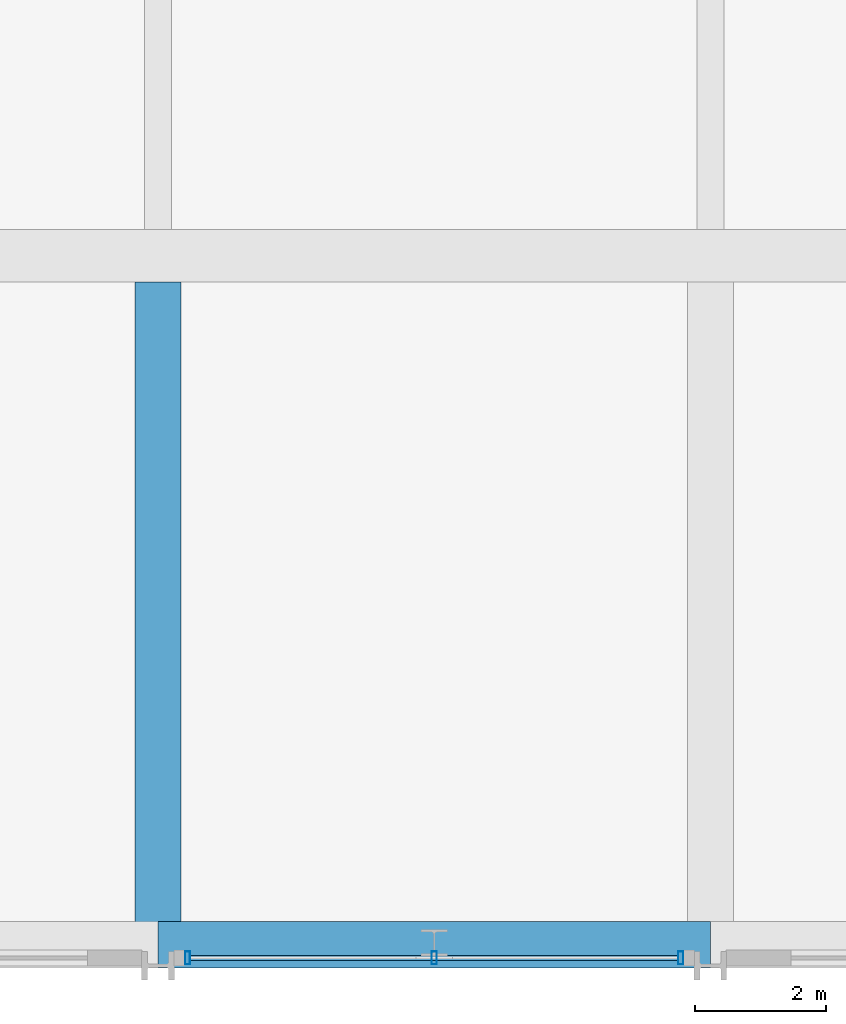
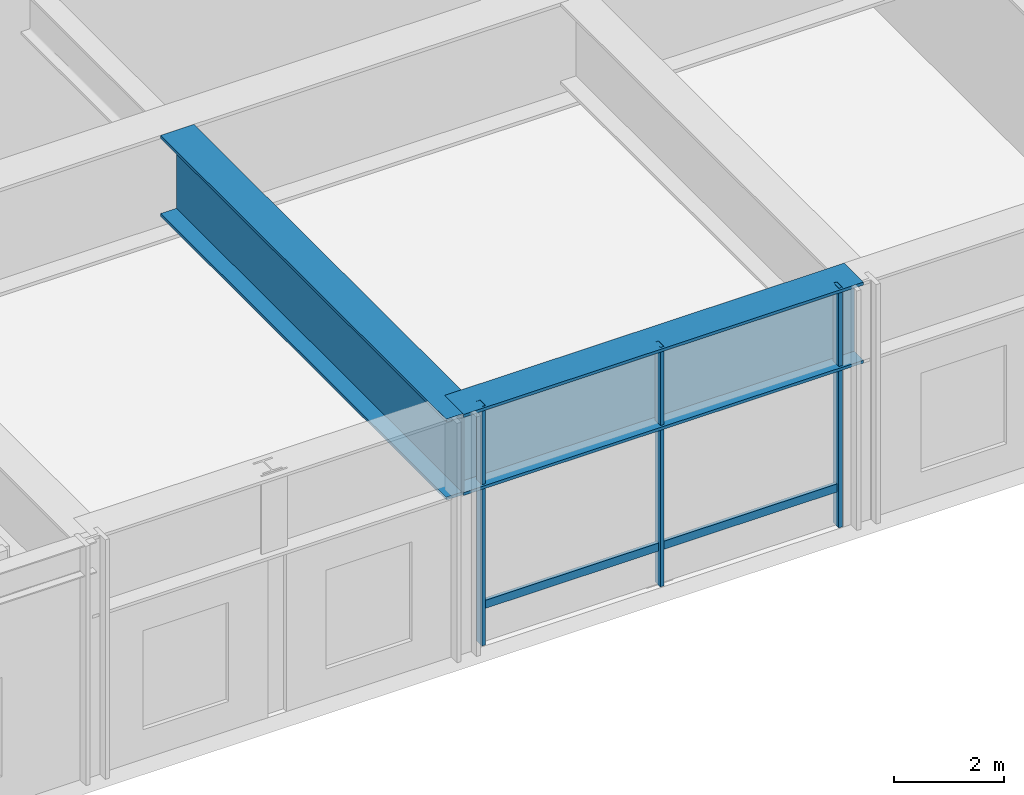
# One storey, part 3 of 19: 4 members, 2 beams, 1 element without a shape of its own.
"""IFC4 building model written with IfcOpenShell, lengths in metres."""

from ifc_helpers import new_model, si_unit, direction, frame, origin, origin_2d, place, context, subcontext, project, spatial, hollow_rectangle, i_section, extrude, material, layer, layer_set, material_profile, profile_set, type_object, element, aggregate, save


model = new_model("IFC4")

# Units and contexts
model_context = context("Model", 3, precision=1e-05, world=origin(), true_north=direction((0.0, 1.0)))
body_context = subcontext(model_context, "Body", "Model", "MODEL_VIEW")
ifc_project = project(units=[si_unit("LENGTHUNIT", "METRE"), si_unit("AREAUNIT", "SQUARE_METRE"), si_unit("VOLUMEUNIT", "CUBIC_METRE"), si_unit("PLANEANGLEUNIT", "RADIAN"), si_unit("MASSUNIT", "GRAM", prefix="KILO")], contexts=[model_context])

# Site, building, storey
site_placement = place(None, origin())
site = spatial("IfcSite", under=ifc_project, at=site_placement, CompositionType="ELEMENT")
building_placement = place(site_placement, origin())
building = spatial("IfcBuilding", under=site, at=building_placement, Name="Drelvath Grand Hotel", CompositionType="ELEMENT")
storey_placement = place(building_placement, frame((0.0, 0.0, 27.60009765625)))
storey = spatial("IfcBuildingStorey", under=building, at=storey_placement, Name="L05", CompositionType="ELEMENT", Elevation=27.60009765625)

# Beams
ifc_material_1 = material(Name="Steel ASTM A572 Gr 50", Category="steel")
ifc_material_profile_1 = material_profile(ifc_material_1, i_section(OverallWidth=0.699951171875, OverallDepth=1.800048828125, WebThickness=0.035888671875, FlangeThickness=0.06494140625, at=origin_2d()), Name="PG1800X700")
ifc_profile_set_1 = profile_set([ifc_material_profile_1], Name="Steel ASTM A572 Gr 50")
beam_type = type_object("IfcBeamType", Name="Built-Up Transfer Girder PG1800X700", PredefinedType="BEAM", material=ifc_profile_set_1)
beam_1_placement = place(storey_placement, frame((-8.39990234375, 0.320068359375, 4.419921875), z_axis=(1.0, 0.0, 0.0), x_axis=(0.0, 1.0, 0.0)))
element("IfcBeam", 1, at=beam_1_placement, inside=storey, type_object=beam_type, Name="L05 Transfer Girder South 2", PredefinedType="BEAM", context=body_context, shape_type="SweptSolid", body=[
    extrude(i_section(OverallWidth=0.699951171875, OverallDepth=1.800048828125, WebThickness=0.035888671875, FlangeThickness=0.06494140625, at=origin_2d()), origin(), (0.0, 0.0, 1.0), 8.39990234375),
])
beam_2_placement = place(storey_placement, frame((-8.39990234375, 0.0, 4.419921875), z_axis=(0.0, 1.0, 0.0), x_axis=(-1.0, 0.0, 0.0)))
element("IfcBeam", 2, at=beam_2_placement, inside=storey, type_object=beam_type, Name="L05 Transfer Tie Girder S4", PredefinedType="BEAM", context=body_context, shape_type="SweptSolid", body=[
    extrude(i_section(OverallWidth=0.699951171875, OverallDepth=1.800048828125, WebThickness=0.035888671875, FlangeThickness=0.06494140625, at=origin_2d()), origin(), (0.0, 0.0, 1.0), 10.39990234375),
])

# Curtain wall, members
ifc_material_2 = material(Name="Dark Bronze Anodised Aluminium Frame", Category="aluminium")
ifc_layer = layer(ifc_material_2, 0.199951171875)
ifc_layer_set = layer_set([ifc_layer], Name="Dark Bronze Anodised Aluminium Frame")
curtain_wall_type = type_object("IfcCurtainWallType", Name="Stick Curtain Wall CW-01 Dark Bronze Podium", PredefinedType="NOTDEFINED", material=ifc_layer_set)
curtain_wall_placement = place(storey_placement, origin())
curtain_wall = element("IfcCurtainWall", 3, at=curtain_wall_placement, inside=storey, type_object=curtain_wall_type, Name="L05 CW-01 Curtain Wall CW01-L05-SC1", PredefinedType="NOTDEFINED")
ifc_material_profile_2 = material_profile(ifc_material_2, hollow_rectangle(XDim=0.074951171875, YDim=0.179931640625, WallThickness=0.0048828125, at=origin_2d()), Name="HSS180X75X5")
ifc_profile_set_2 = profile_set([ifc_material_profile_2], Name="Dark Bronze Anodised Aluminium Frame")
member_type_1 = type_object("IfcMemberType", Name="Curtain Wall Horizontal Transom CW-01 HSS180X75X5", PredefinedType="USERDEFINED", material=ifc_profile_set_2)
member_1_placement = place(storey_placement, frame((-0.489990234375, 0.1201171875, 0.849853515625), z_axis=(-1.0, 0.0, 0.0), x_axis=(0.0, -1.0, 0.0)))
member_1 = element("IfcMember", 4, at=member_1_placement, type_object=member_type_1, Name="CW01-L05-SC1 Sill Transom", ObjectType="TRANSOM", PredefinedType="USERDEFINED", context=body_context, shape_type="SweptSolid", body=[
    extrude(hollow_rectangle(XDim=0.074951171875, YDim=0.179931640625, WallThickness=0.0048828125, at=origin_2d()), origin(), (0.0, 0.0, 1.0), 7.419921875),
])
ifc_material_profile_3 = material_profile(ifc_material_2, hollow_rectangle(XDim=0.080078125, YDim=0.199951171875, WallThickness=0.0048828125, at=origin_2d()), Name="HSS200X80X5")
ifc_profile_set_3 = profile_set([ifc_material_profile_3], Name="Dark Bronze Anodised Aluminium Frame")
member_type_2 = type_object("IfcMemberType", Name="Curtain Wall Vertical Mullion CW-01 HSS200X80X5", PredefinedType="MULLION", material=ifc_profile_set_3)
member_2_placement = place(storey_placement, frame((-0.449951171875, 0.1201171875, 0.0), z_axis=(0.0, 0.0, 1.0), x_axis=(1.0, 0.0, 0.0)))
member_2 = element("IfcMember", 5, at=member_2_placement, type_object=member_type_2, Name="CW01-L05-SC1 Mullion 1", PredefinedType="MULLION", context=body_context, shape_type="SweptSolid", body=[
    extrude(hollow_rectangle(XDim=0.080078125, YDim=0.199951171875, WallThickness=0.0048828125, at=origin_2d()), origin(), (0.0, 0.0, 1.0), 5.31982421875),
])
member_3_placement = place(storey_placement, frame((-4.199951171875, 0.1201171875, 0.0), z_axis=(0.0, 0.0, 1.0), x_axis=(1.0, 0.0, 0.0)))
member_3 = element("IfcMember", 6, at=member_3_placement, type_object=member_type_2, Name="CW01-L05-SC1 Mullion 2", PredefinedType="MULLION", context=body_context, shape_type="SweptSolid", body=[
    extrude(hollow_rectangle(XDim=0.080078125, YDim=0.199951171875, WallThickness=0.0048828125, at=origin_2d()), origin(), (0.0, 0.0, 1.0), 5.31982421875),
])
member_4_placement = place(storey_placement, frame((-7.949951171875, 0.1201171875, 0.0), z_axis=(0.0, 0.0, 1.0), x_axis=(1.0, 0.0, 0.0)))
member_4 = element("IfcMember", 7, at=member_4_placement, type_object=member_type_2, Name="CW01-L05-SC1 Mullion 3", PredefinedType="MULLION", context=body_context, shape_type="SweptSolid", body=[
    extrude(hollow_rectangle(XDim=0.080078125, YDim=0.199951171875, WallThickness=0.0048828125, at=origin_2d()), origin(), (0.0, 0.0, 1.0), 5.31982421875),
])
aggregate(curtain_wall, [member_2, member_3, member_4, member_1])

save(model, "model.ifc")
